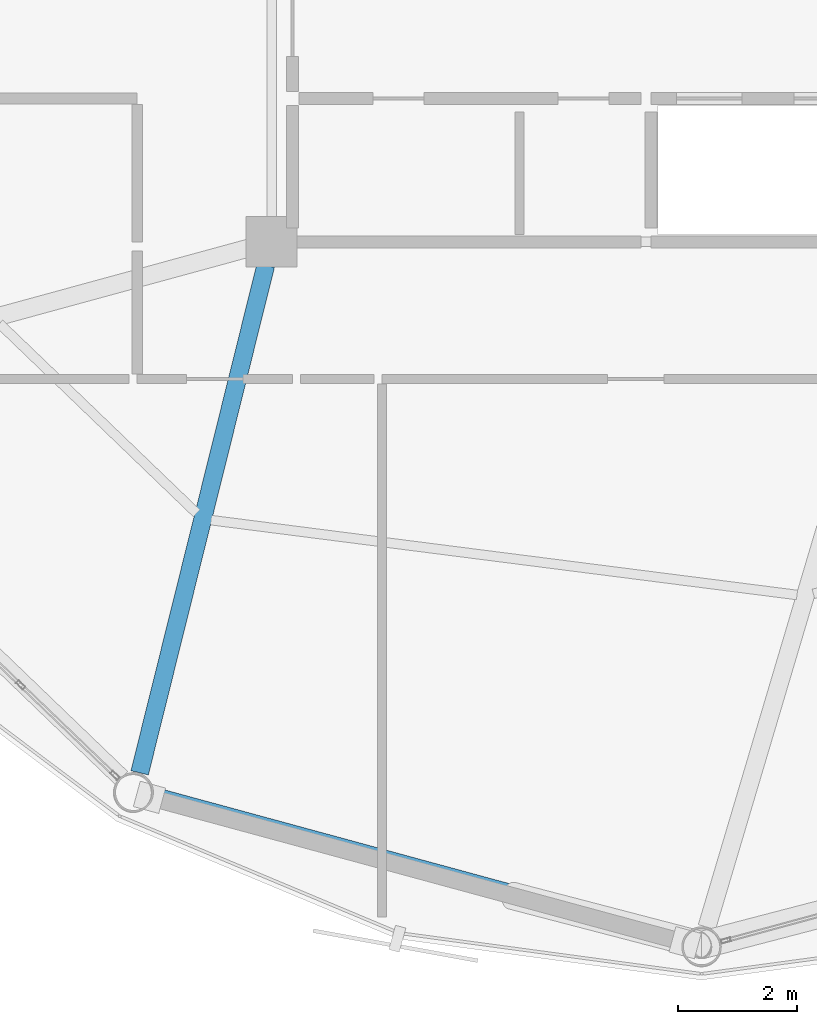
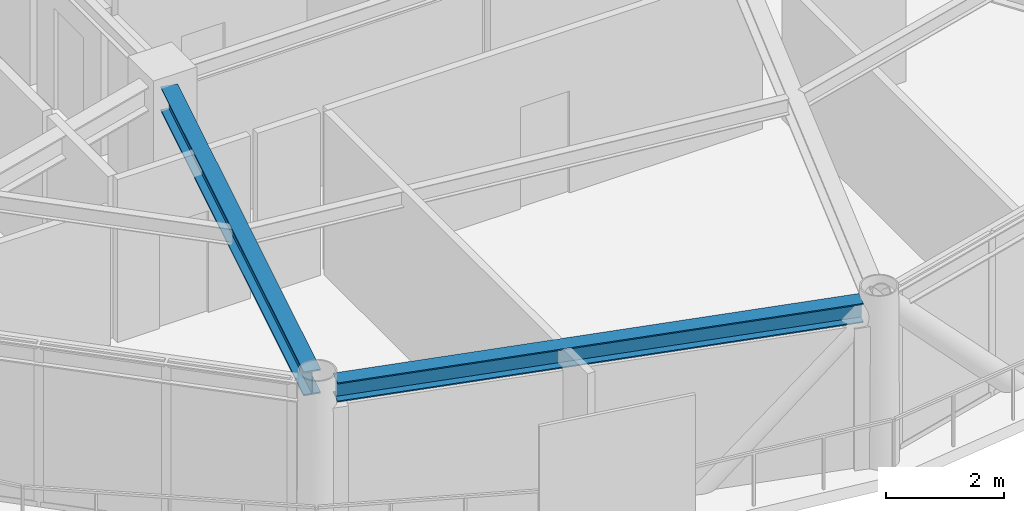
# One storey, part 3 of 28: 2 beams.
"""IFC4 building model written with IfcOpenShell, lengths in metres."""

from ifc_helpers import new_model, si_unit, direction, frame, origin, origin_2d, place, context, subcontext, project, spatial, i_section, extrude, material, material_profile, profile_set, type_object, element, save


model = new_model("IFC4")

# Units and contexts
model_context = context("Model", 3, precision=1e-05, world=origin(), true_north=direction((0.0, 1.0)))
body_context = subcontext(model_context, "Body", "Model", "MODEL_VIEW")
ifc_project = project(units=[si_unit("LENGTHUNIT", "METRE"), si_unit("AREAUNIT", "SQUARE_METRE"), si_unit("VOLUMEUNIT", "CUBIC_METRE"), si_unit("PLANEANGLEUNIT", "RADIAN"), si_unit("MASSUNIT", "GRAM", prefix="KILO")], contexts=[model_context])

# Site, building, storey
site_placement = place(None, origin())
site = spatial("IfcSite", under=ifc_project, at=site_placement, CompositionType="ELEMENT")
building_placement = place(site_placement, origin())
building = spatial("IfcBuilding", under=site, at=building_placement, Name="Varnakorn Sky Granary", CompositionType="ELEMENT")
storey_placement = place(building_placement, frame((0.0, 0.0, 211.199951171875)))
storey = spatial("IfcBuildingStorey", under=building, at=storey_placement, Name="L53", CompositionType="ELEMENT", Elevation=211.199951171875)

# Beams
ifc_material = material(Name="Steel S355JR", Category="steel")
ifc_material_profile_1 = material_profile(ifc_material, i_section(OverallWidth=0.300048828125, OverallDepth=0.5, WebThickness=0.014404296875, FlangeThickness=0.028076171875, at=origin_2d()), Name="HE 500 B")
ifc_profile_set_1 = profile_set([ifc_material_profile_1], Name="Steel S355JR")
beam_type_1 = type_object("IfcBeamType", Name="BM-RAD-Z4", PredefinedType="BEAM", material=ifc_profile_set_1)
beam_1_placement = place(storey_placement, frame((-2.447509765625, -6.9931640625, 3.110107421875), z_axis=(-0.241118498171, -0.970495682546, 0.0), x_axis=(0.970495682546, -0.241118498171, 0.0)))
element("IfcBeam", 1, at=beam_1_placement, inside=storey, type_object=beam_type_1, Name="Radial Floor Girder RG09 L53", PredefinedType="BEAM", context=body_context, shape_type="SweptSolid", body=[
    extrude(i_section(OverallWidth=0.300048828125, OverallDepth=0.5, WebThickness=0.014404296875, FlangeThickness=0.028076171875, at=origin_2d()), origin(), (0.0, 0.0, 1.0), 8.75732421875),
])
ifc_material_profile_2 = material_profile(ifc_material, i_section(OverallWidth=0.300048828125, OverallDepth=0.39990234375, WebThickness=0.013427734375, FlangeThickness=0.02392578125, at=origin_2d()), Name="HE 400 B")
ifc_profile_set_2 = profile_set([ifc_material_profile_2], Name="Steel S355JR")
beam_type_2 = type_object("IfcBeamType", Name="BM-SPD-Z4", PredefinedType="SPANDREL", material=ifc_profile_set_2)
beam_2_placement = place(storey_placement, frame((-4.3310546875, -15.880615234375, 3.16015625), z_axis=(0.964961366881, -0.262391997644, 0.0), x_axis=(0.262391997644, 0.964961366881, 0.0)))
element("IfcBeam", 2, at=beam_2_placement, inside=storey, type_object=beam_type_2, Name="Perimeter Spandrel Ring Beam RB09 L53", PredefinedType="SPANDREL", context=body_context, shape_type="SweptSolid", body=[
    extrude(i_section(OverallWidth=0.300048828125, OverallDepth=0.39990234375, WebThickness=0.013427734375, FlangeThickness=0.02392578125, at=origin_2d()), origin(), (0.0, 0.0, 1.0), 9.19921875),
])

save(model, "model.ifc")
